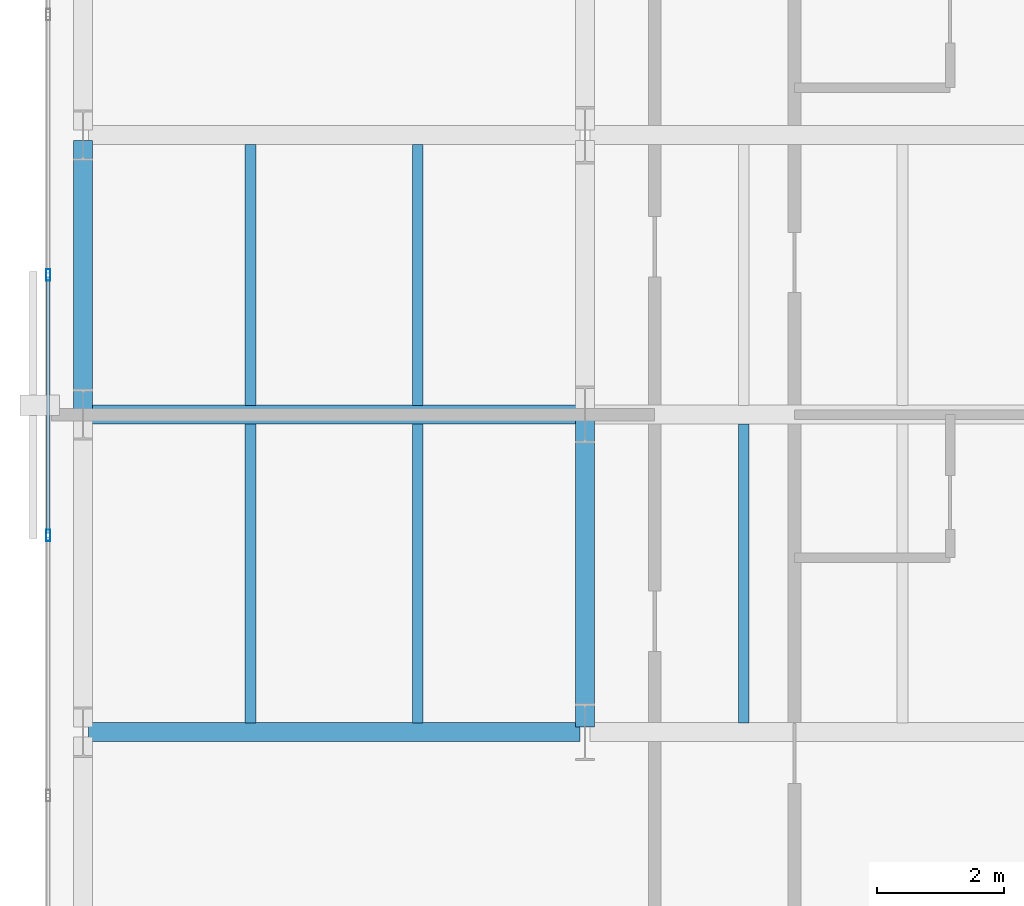
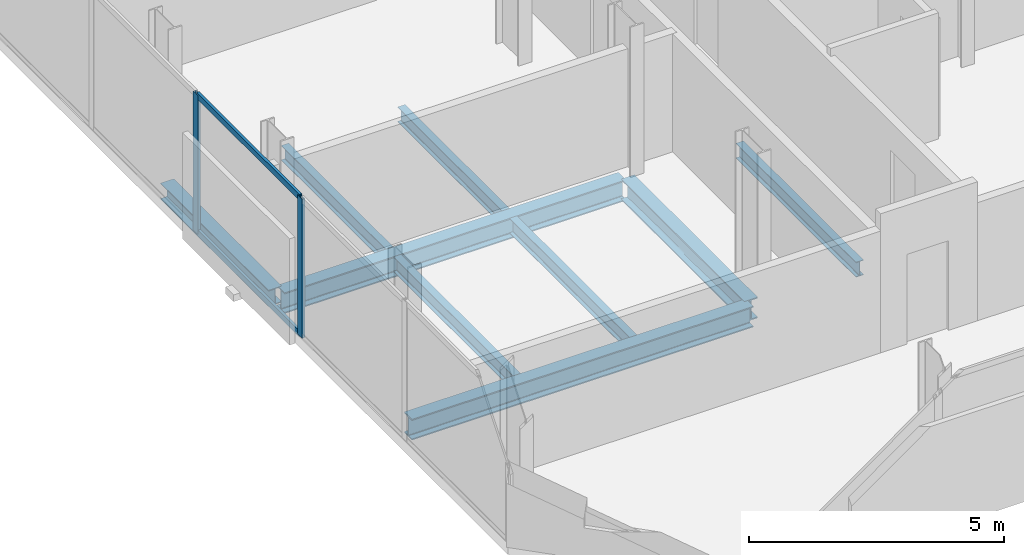
# One storey, part 5 of 32: 9 beams, 4 members, 1 element without a shape of its own.
"""IFC4 building model written with IfcOpenShell, lengths in metres."""

from ifc_helpers import new_model, si_unit, direction, frame, origin, origin_2d, place, context, subcontext, project, spatial, hollow_rectangle, i_section, extrude, material, layer, layer_set, material_profile, profile_set, type_object, element, aggregate, save


model = new_model("IFC4")

# Units and contexts
model_context = context("Model", 3, precision=1e-05, world=origin(), true_north=direction((0.0, 1.0)))
body_context = subcontext(model_context, "Body", "Model", "MODEL_VIEW")
ifc_project = project(units=[si_unit("LENGTHUNIT", "METRE"), si_unit("AREAUNIT", "SQUARE_METRE"), si_unit("VOLUMEUNIT", "CUBIC_METRE"), si_unit("PLANEANGLEUNIT", "RADIAN"), si_unit("MASSUNIT", "GRAM", prefix="KILO")], contexts=[model_context])

# Site, building, storey
site_placement = place(None, origin())
site = spatial("IfcSite", under=ifc_project, at=site_placement, CompositionType="ELEMENT")
building_placement = place(site_placement, origin())
building = spatial("IfcBuilding", under=site, at=building_placement, Name="Catumbela Crestline Tower", CompositionType="ELEMENT")
storey_placement = place(building_placement, frame((0.0, 0.0, 65.4)))
storey = spatial("IfcBuildingStorey", under=building, at=storey_placement, Name="L16", CompositionType="ELEMENT", Elevation=65.4)

# Beams
ifc_material_1 = material(Name="Structural steel S355J2", Category="steel")
ifc_material_profile_1 = material_profile(ifc_material_1, i_section(OverallWidth=0.3, OverallDepth=0.5, WebThickness=0.0145, FlangeThickness=0.028, FilletRadius=0.027, at=origin_2d()), Name="HEB 500")
ifc_profile_set_1 = profile_set([ifc_material_profile_1], Name="Structural steel S355J2")
beam_type_1 = type_object("IfcBeamType", Name="BG-HEB500", PredefinedType="BEAM", material=ifc_profile_set_1)
for number, where, z_axis, x_axis, name in (
    (1, (0.68, 8.6, -0.51), (1.0, 0.0, 0.0), (0.0, 1.0, 0.0), "L16 Beam BM-L16-WEW48"),
    (2, (0.68, 13.6, -0.51), (1.0, 0.0, 0.0), (0.0, 1.0, 0.0), "L16 Beam BM-L16-WEW51"),
):
    element("IfcBeam", number, at=place(storey_placement, frame(where, z_axis=z_axis, x_axis=x_axis)), inside=storey, type_object=beam_type_1, Name=name, PredefinedType="BEAM", context=body_context, shape_type="SweptSolid", body=[
        extrude(i_section(OverallWidth=0.3, OverallDepth=0.5, WebThickness=0.0145, FlangeThickness=0.028, FilletRadius=0.027, at=origin_2d()), origin(), (0.0, 0.0, 1.0), 7.74),
    ])
beam_1_placement = place(storey_placement, frame((8.5, 8.68, -0.51), z_axis=(0.0, 1.0, 0.0), x_axis=(-1.0, 0.0, 0.0)))
element("IfcBeam", 3, at=beam_1_placement, inside=storey, type_object=beam_type_1, Name="L16 Beam BM-L16-WNS61", PredefinedType="BEAM", context=body_context, shape_type="SweptSolid", body=[
    extrude(i_section(OverallWidth=0.3, OverallDepth=0.5, WebThickness=0.0145, FlangeThickness=0.028, FilletRadius=0.027, at=origin_2d()), origin(), (0.0, 0.0, 1.0), 4.84),
])
ifc_material_profile_2 = material_profile(ifc_material_1, i_section(OverallWidth=0.17, OverallDepth=0.36, WebThickness=0.008, FlangeThickness=0.0127, FilletRadius=0.018, at=origin_2d()), Name="IPE 360")
ifc_profile_set_2 = profile_set([ifc_material_profile_2], Name="Structural steel S355J2")
beam_type_2 = type_object("IfcBeamType", Name="BJ-IPE360", PredefinedType="JOIST", material=ifc_profile_set_2)
for number, where, z_axis, x_axis, name in (
    (4, (3.233, 8.747, -0.44), (0.0, 1.0, 0.0), (-1.0, 0.0, 0.0), "L16 Joist JS-L16-WG70"),
    (5, (5.867, 8.747, -0.44), (0.0, 1.0, 0.0), (-1.0, 0.0, 0.0), "L16 Joist JS-L16-WG71"),
    (6, (11.0, 8.747, -0.44), (0.0, 1.0, 0.0), (-1.0, 0.0, 0.0), "L16 Joist JS-L16-WG72"),
):
    element("IfcBeam", number, at=place(storey_placement, frame(where, z_axis=z_axis, x_axis=x_axis)), inside=storey, type_object=beam_type_2, Name=name, PredefinedType="JOIST", context=body_context, shape_type="SweptSolid", body=[
        extrude(i_section(OverallWidth=0.17, OverallDepth=0.36, WebThickness=0.008, FlangeThickness=0.0127, FilletRadius=0.018, at=origin_2d()), origin(), (0.0, 0.0, 1.0), 4.706),
    ])
for number, where, z_axis, x_axis, name in (
    (7, (3.233, 13.747, -0.44), (0.0, 1.0, 0.0), (-1.0, 0.0, 0.0), "L16 Joist JS-L16-WG76"),
    (8, (5.867, 13.747, -0.44), (0.0, 1.0, 0.0), (-1.0, 0.0, 0.0), "L16 Joist JS-L16-WG77"),
):
    element("IfcBeam", number, at=place(storey_placement, frame(where, z_axis=z_axis, x_axis=x_axis)), inside=storey, type_object=beam_type_2, Name=name, PredefinedType="JOIST", context=body_context, shape_type="SweptSolid", body=[
        extrude(i_section(OverallWidth=0.17, OverallDepth=0.36, WebThickness=0.008, FlangeThickness=0.0127, FilletRadius=0.018, at=origin_2d()), origin(), (0.0, 0.0, 1.0), 4.106),
    ])

# Curtain wall, members
ifc_material_2 = material(Name="Aluminium alloy AW-6060-T66", Category="aluminium")
ifc_layer = layer(ifc_material_2, 0.18, Name="Aluminium alloy AW-6060-T66")
ifc_layer_set = layer_set([ifc_layer], Name="Aluminium alloy AW-6060-T66")
curtain_wall_type = type_object("IfcCurtainWallType", Name="CWU-Z1", PredefinedType="USERDEFINED", material=ifc_layer_set)
curtain_wall_placement = place(storey_placement, origin())
curtain_wall = element("IfcCurtainWall", 9, at=curtain_wall_placement, inside=storey, type_object=curtain_wall_type, Name="L16 Unitised Curtain Wall CW-L16-E9S1", ObjectType="UNITISED", PredefinedType="USERDEFINED")
ifc_material_profile_3 = material_profile(ifc_material_2, hollow_rectangle(XDim=0.065, YDim=0.18, WallThickness=0.004, at=origin_2d()), Name="ALU 180x65x4")
ifc_profile_set_3 = profile_set([ifc_material_profile_3], Name="Aluminium alloy AW-6060-T66")
member_type_1 = type_object("IfcMemberType", Name="MUL-180X65", PredefinedType="MULLION", material=ifc_profile_set_3)
member_1_placement = place(storey_placement, frame((0.05, 15.8, 0.0), z_axis=(0.0, 0.0, 1.0), x_axis=(1.0, 0.0, 0.0)))
member_1 = element("IfcMember", 10, at=member_1_placement, type_object=member_type_1, Name="CWU-Z1 mullion 8", PredefinedType="MULLION", context=body_context, shape_type="SweptSolid", body=[
    extrude(hollow_rectangle(XDim=0.065, YDim=0.18, WallThickness=0.004, at=origin_2d()), origin(), (0.0, 0.0, 1.0), 3.33),
])
member_2_placement = place(storey_placement, frame((0.05, 11.7, 0.0), z_axis=(0.0, 0.0, 1.0), x_axis=(1.0, 0.0, 0.0)))
member_2 = element("IfcMember", 11, at=member_2_placement, type_object=member_type_1, Name="CWU-Z1 mullion 9", PredefinedType="MULLION", context=body_context, shape_type="SweptSolid", body=[
    extrude(hollow_rectangle(XDim=0.065, YDim=0.18, WallThickness=0.004, at=origin_2d()), origin(), (0.0, 0.0, 1.0), 3.33),
])

# Beam
ifc_material_profile_4 = material_profile(ifc_material_1, i_section(OverallWidth=0.3, OverallDepth=0.39, WebThickness=0.011, FlangeThickness=0.019, FilletRadius=0.027, at=origin_2d()), Name="HEA 400")
ifc_profile_set_4 = profile_set([ifc_material_profile_4], Name="Structural steel S355J2")
beam_type_3 = type_object("IfcBeamType", Name="BS-HEA400", PredefinedType="SPANDREL", material=ifc_profile_set_4)
beam_2_placement = place(storey_placement, frame((0.6, 13.68, -0.455), z_axis=(0.0, 1.0, 0.0), x_axis=(-1.0, 0.0, 0.0)))
element("IfcBeam", 12, at=beam_2_placement, inside=storey, type_object=beam_type_3, Name="L16 Spandrel SP-L16-WNS59", PredefinedType="SPANDREL", context=body_context, shape_type="SweptSolid", body=[
    extrude(i_section(OverallWidth=0.3, OverallDepth=0.39, WebThickness=0.011, FlangeThickness=0.019, FilletRadius=0.027, at=origin_2d()), origin(), (0.0, 0.0, 1.0), 4.24),
])

# Member
ifc_material_profile_5 = material_profile(ifc_material_2, hollow_rectangle(XDim=0.06, YDim=0.14, WallThickness=0.004, at=origin_2d()), Name="ALU 140x60x4")
ifc_profile_set_5 = profile_set([ifc_material_profile_5], Name="Aluminium alloy AW-6060-T66")
member_type_2 = type_object("IfcMemberType", Name="TRN-140X60", PredefinedType="USERDEFINED", material=ifc_profile_set_5)
member_3_placement = place(storey_placement, frame((0.05, 15.7675, 0.03), z_axis=(0.0, -1.0, 0.0), x_axis=(1.0, 0.0, 0.0)))
member_3 = element("IfcMember", 13, at=member_3_placement, type_object=member_type_2, Name="CWU-Z1 transom 8.1", ObjectType="TRANSOM", PredefinedType="USERDEFINED", context=body_context, shape_type="SweptSolid", body=[
    extrude(hollow_rectangle(XDim=0.06, YDim=0.14, WallThickness=0.004, at=origin_2d()), origin(), (0.0, 0.0, 1.0), 4.035),
])

member_4_placement = place(storey_placement, frame((0.05, 15.7675, 3.3), z_axis=(0.0, -1.0, 0.0), x_axis=(1.0, 0.0, 0.0)))
member_4 = element("IfcMember", 14, at=member_4_placement, type_object=member_type_2, Name="CWU-Z1 transom 8.2", ObjectType="TRANSOM", PredefinedType="USERDEFINED", context=body_context, shape_type="SweptSolid", body=[
    extrude(hollow_rectangle(XDim=0.06, YDim=0.14, WallThickness=0.004, at=origin_2d()), origin(), (0.0, 0.0, 1.0), 4.035),
])

aggregate(curtain_wall, [member_1, member_2, member_3, member_4])

save(model, "model.ifc")
